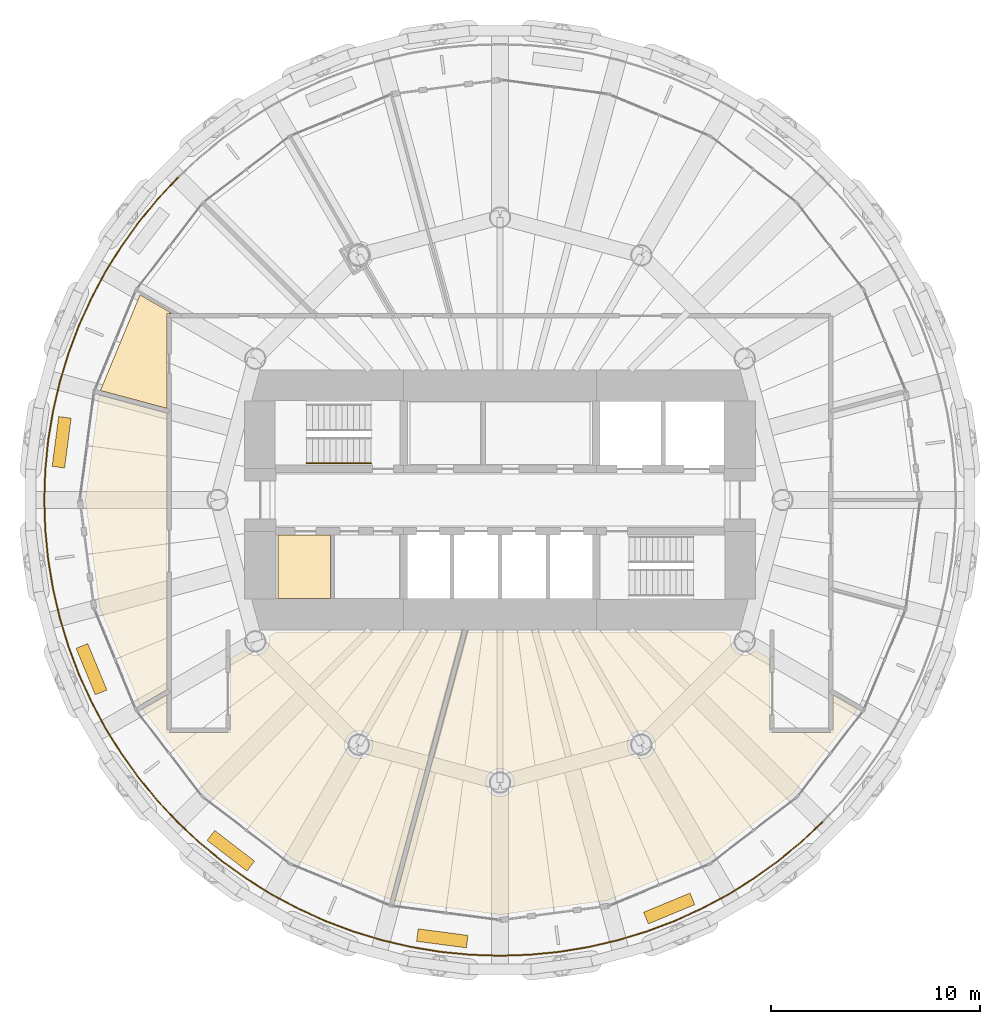
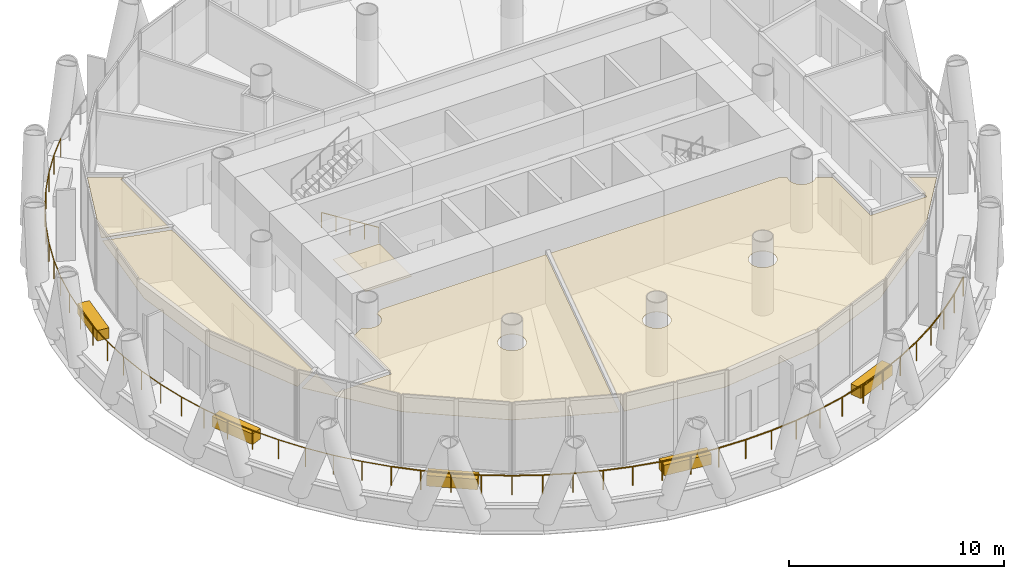
# One storey, part 13 of 15: 10 coverings, 3 railings.
"""IFC4 building model written with IfcOpenShell, lengths in metres."""

import ifcopenshell
import ifcopenshell.guid

model = None  # the IFC model being written
_history = None  # IfcOwnerHistory: only IFC2X3 demands one
_inside = {}  # id of a spatial element -> (the spatial element, [elements in it])
_under = {}  # id of a project, library or spatial element -> (it, [spatial elements below it])
_declared = {}  # id of a project -> (the project, [libraries it declares])
_typed = {}  # id of a type object -> (the type object, [elements of that type])
_made_of = {}  # id of a material, layer set ... -> (it, [elements and type objects made of it])


def new_model(schema):
    """Start an empty IFC model of exactly this schema.

    Asked for "IFC4X3", IfcOpenShell would pick the latest addendum, in which some entities
    have other attributes; the version numbers below select the first issue.
    IFC2X3 requires an IfcOwnerHistory on every rooted entity: one is made here for all.
    """
    global model, _history
    if schema == "IFC4X3":
        model = ifcopenshell.file(schema_version=(4, 3, 0, 0))
    else:
        model = ifcopenshell.file(schema=schema)
    _inside.clear()
    _under.clear()
    _declared.clear()
    _typed.clear()
    _made_of.clear()
    _history = None
    if model.schema == "IFC2X3":
        org = make("IfcOrganization", Name="unknown")
        user = make(
            "IfcPersonAndOrganization",
            ThePerson=make("IfcPerson", FamilyName="unknown"),
            TheOrganization=org,
        )
        app = make(
            "IfcApplication",
            ApplicationDeveloper=org,
            Version="unknown",
            ApplicationFullName="unknown",
            ApplicationIdentifier="unknown",
        )
        _history = make(
            "IfcOwnerHistory",
            OwningUser=user,
            OwningApplication=app,
            ChangeAction="ADDED",
            CreationDate=0,
        )
    return model


def make(cls, **values):
    """One entity of the class cls with the attributes given. An attribute that is None is left unset."""
    return model.create_entity(
        cls, **{name: value for name, value in values.items() if value is not None}
    )


def rooted(cls, **values):
    """An entity with a GlobalId (a new one), such as an element, a storey or a relation."""
    return make(cls, GlobalId=ifcopenshell.guid.new(), OwnerHistory=_history, **values)


def si_unit(unit_type, name, prefix=None):
    """IfcSIUnit, for example si_unit("LENGTHUNIT", "METRE", prefix="MILLI")."""
    return make("IfcSIUnit", UnitType=unit_type, Prefix=prefix, Name=name)


def assignment(units):
    """IfcUnitAssignment: the units of a project."""
    return None if units is None else make("IfcUnitAssignment", Units=units)


def point(xyz):
    """IfcCartesianPoint."""
    return None if xyz is None else make("IfcCartesianPoint", Coordinates=xyz)


def direction(xyz):
    """IfcDirection."""
    return None if xyz is None else make("IfcDirection", DirectionRatios=xyz)


def frame(location, z_axis=None, x_axis=None):
    """IfcAxis2Placement3D, a coordinate frame: its origin and axes. An axis left out is left unset."""
    return make(
        "IfcAxis2Placement3D",
        Location=point(location),
        Axis=direction(z_axis),
        RefDirection=direction(x_axis),
    )


def frame_2d(location, x_axis=None):
    """IfcAxis2Placement2D, a coordinate frame in the plane: its origin and x axis."""
    return make(
        "IfcAxis2Placement2D", Location=point(location), RefDirection=direction(x_axis)
    )


def origin():
    """The frame at (0, 0, 0) with its axes left unset."""
    return frame((0.0, 0.0, 0.0))


def origin_2d():
    """The frame at (0, 0) in the plane with its x axis left unset."""
    return frame_2d((0.0, 0.0))


def place(relative_to, where):
    """IfcLocalPlacement: puts the frame where relative to a parent placement (None: the world)."""
    return make(
        "IfcLocalPlacement", PlacementRelTo=relative_to, RelativePlacement=where
    )


def context(
    kind, dimensions, precision=None, world=None, true_north=None, identifier=None
):
    """IfcGeometricRepresentationContext, for example the 3D "Model" context."""
    return make(
        "IfcGeometricRepresentationContext",
        ContextIdentifier=identifier,
        ContextType=kind,
        CoordinateSpaceDimension=dimensions,
        Precision=precision,
        WorldCoordinateSystem=world,
        TrueNorth=true_north,
    )


def subcontext(parent, identifier, kind, view, scale=None):
    """IfcGeometricRepresentationSubContext, for example "Body" below "Model"."""
    return make(
        "IfcGeometricRepresentationSubContext",
        ContextIdentifier=identifier,
        ContextType=kind,
        ParentContext=parent,
        TargetScale=scale,
        TargetView=view,
    )


def project(units=None, contexts=None):
    """IfcProject with its units and contexts."""
    return rooted(
        "IfcProject",
        Name="project",
        RepresentationContexts=contexts,
        UnitsInContext=assignment(units),
    )


def spatial(cls, under=None, at=None, **own):
    """A site, building, storey or space (cls), placed at a placement, below another one or the project."""
    s = rooted(cls, ObjectPlacement=at, **own)
    if under is not None:
        _under.setdefault(under.id(), (under, []))[1].append(s)
    return s


def polyline(points):
    """IfcPolyline through the points."""
    return make("IfcPolyline", Points=[point(p) for p in points])


def profile(cls, at=None, kind="AREA", **sizes):
    """A parametric profile (cls). Its sizes go by their IFC names, for example OverallWidth=200.0."""
    return make(cls, ProfileType=kind, Position=at, **sizes)


def rectangle(**sizes):
    """IfcRectangleProfileDef."""
    return profile("IfcRectangleProfileDef", **sizes)


def circle(**sizes):
    """IfcCircleProfileDef."""
    return profile("IfcCircleProfileDef", **sizes)


def outline(outer, holes=None, kind="AREA"):
    """IfcArbitraryClosedProfileDef: a profile drawn as a closed curve; with holes, ...WithVoids."""
    if holes is None:
        return make("IfcArbitraryClosedProfileDef", ProfileType=kind, OuterCurve=outer)
    return make(
        "IfcArbitraryProfileDefWithVoids",
        ProfileType=kind,
        OuterCurve=outer,
        InnerCurves=holes,
    )


def extrude(swept, where, along, depth):
    """IfcExtrudedAreaSolid: the profile swept, set in the frame where, extruded along a direction by depth."""
    return make(
        "IfcExtrudedAreaSolid",
        SweptArea=swept,
        Position=where,
        ExtrudedDirection=direction(along),
        Depth=depth,
    )


def shape(context_of_items, identifier, shape_type, items):
    """IfcShapeRepresentation: the items that make up one representation, for example the "Body"."""
    return make(
        "IfcShapeRepresentation",
        ContextOfItems=context_of_items,
        RepresentationIdentifier=identifier,
        RepresentationType=shape_type,
        Items=items,
    )


def material(Name=None, Category=None):
    """IfcMaterial."""
    return make("IfcMaterial", Name=Name, Category=Category)


def layer(
    of_material, thickness, ventilated=None, Name=None, Category=None, Priority=None
):
    """IfcMaterialLayer: one layer of a wall or slab, of a material (None: an air gap)."""
    return make(
        "IfcMaterialLayer",
        Material=of_material,
        LayerThickness=thickness,
        IsVentilated=ventilated,
        Name=Name,
        Category=Category,
        Priority=Priority,
    )


def layer_set(layers, Name=None):
    """IfcMaterialLayerSet."""
    return make("IfcMaterialLayerSet", MaterialLayers=layers, LayerSetName=Name)


def made_of(thing, what):
    """Note that an element or type object is made of a material, layer set ...; save() writes the relation."""
    if what is not None:
        _made_of.setdefault(what.id(), (what, []))[1].append(thing)
    return thing


def type_object(cls, material=None, **own):
    """A type object (cls), such as IfcWallType, which elements share."""
    return made_of(rooted(cls, **own), material)


def element(
    cls,
    number,
    at=None,
    inside=None,
    cuts=None,
    type_object=None,
    material=None,
    context=None,
    identifier="Body",
    shape_type=None,
    held_by="IfcProductDefinitionShape",
    body=None,
    shapes=None,
    **own,
):
    """One element of the class cls, such as IfcWall. Its Tag is "e" and its number.

    at: its placement. inside: the storey or other place that contains it. cuts: it is an
    opening in that element (IfcRelVoidsElement). A single representation is given by context,
    identifier, shape_type and body (its items); several are given by shapes. held_by: the class
    of the entity that holds the representations. save() writes the other relations.
    """
    e = rooted(cls, Tag="e%d" % number, ObjectPlacement=at, **own)
    if body is not None:
        shapes = [shape(context, identifier, shape_type, body)]
    if shapes is not None:
        e.Representation = make(held_by, Representations=shapes)
    if inside is not None:
        _inside.setdefault(inside.id(), (inside, []))[1].append(e)
    if cuts is not None:
        rooted(
            "IfcRelVoidsElement", RelatingBuildingElement=cuts, RelatedOpeningElement=e
        )
    if type_object is not None:
        _typed.setdefault(type_object.id(), (type_object, []))[1].append(e)
    return made_of(e, material)


def aggregate(whole, parts):
    """IfcRelAggregates: a whole, such as a stair, and the parts it consists of."""
    return rooted("IfcRelAggregates", RelatingObject=whole, RelatedObjects=parts)


def save(model, path):
    """Write the relations noted so far, then the file.

    IfcRelAggregates (storeys below a building ...), IfcRelContainedInSpatialStructure (elements
    in a storey), IfcRelDefinesByType, IfcRelAssociatesMaterial and IfcRelDeclares: one each for
    every whole, place, type object, material and project.
    """
    for whole, parts in _under.values():
        aggregate(whole, parts)
    for where, things in _inside.values():
        rooted(
            "IfcRelContainedInSpatialStructure",
            RelatedElements=things,
            RelatingStructure=where,
        )
    for kind, things in _typed.values():
        rooted("IfcRelDefinesByType", RelatedObjects=things, RelatingType=kind)
    for what, things in _made_of.values():
        rooted("IfcRelAssociatesMaterial", RelatedObjects=things, RelatingMaterial=what)
    for by, libraries in _declared.values():
        rooted("IfcRelDeclares", RelatingContext=by, RelatedDefinitions=libraries)
    model.write(path)


model = new_model("IFC4")

# Units and contexts
model_context = context("Model", 3, precision=1e-05, world=origin(), true_north=direction((0.0, 1.0)))
body_context = subcontext(model_context, "Body", "Model", "MODEL_VIEW")
ifc_project = project(units=[si_unit("LENGTHUNIT", "METRE"), si_unit("AREAUNIT", "SQUARE_METRE"), si_unit("VOLUMEUNIT", "CUBIC_METRE"), si_unit("PLANEANGLEUNIT", "RADIAN"), si_unit("MASSUNIT", "GRAM", prefix="KILO")], contexts=[model_context])

# Site, building, storey
site_placement = place(None, origin())
site = spatial("IfcSite", under=ifc_project, at=site_placement, CompositionType="ELEMENT")
building_placement = place(site_placement, origin())
building = spatial("IfcBuilding", under=site, at=building_placement, Name="Qaws Media Tower", CompositionType="ELEMENT")
storey_placement = place(building_placement, frame((0.0, 0.0, 231.800048828125)))
storey = spatial("IfcBuildingStorey", under=building, at=storey_placement, Name="L53", CompositionType="ELEMENT", Elevation=231.800048828125)

# Railings
ifc_material_1 = material(Name="Stainless steel and glass guard", Category="steel")
railing_type_1 = type_object("IfcRailingType", Name="Balcony guard 1100", PredefinedType="GUARDRAIL", material=ifc_material_1)
railing_1_placement = place(storey_placement, frame((44.602783203125, 65.397216796875, 0.0)))
element("IfcRailing", 1, at=railing_1_placement, inside=storey, type_object=railing_type_1, Name="GR1 balcony guard L53-2", PredefinedType="GUARDRAIL", context=body_context, shape_type="SweptSolid", body=[
    extrude(circle(Radius=0.02392578125, at=origin_2d()), frame((0.0, 0.0, 1.076171875), z_axis=(-0.683599109941, -0.729857696328, 0.0), x_axis=(0.729857696328, -0.683599109941, 0.0)), (0.0, 0.0, 1.0), 1.425048828125),
    extrude(circle(Radius=0.02392578125, at=origin_2d()), frame((-0.97412109375, -1.0400390625, 1.076171875), z_axis=(-0.63448726708, -0.772933314015, 0.0), x_axis=(0.772933314015, -0.63448726708, 0.0)), (0.0, 0.0, 1.0), 1.4248046875),
    extrude(circle(Radius=0.02392578125, at=origin_2d()), frame((-1.878173828125, -2.141357421875, 1.076171875), z_axis=(-0.582420824871, -0.812887435477, 0.0), x_axis=(0.812887435477, -0.582420824871, 0.0)), (0.0, 0.0, 1.0), 1.4248046875),
    extrude(circle(Radius=0.02392578125, at=origin_2d()), frame((-2.7080078125, -3.299560546875, 1.076171875), z_axis=(-0.528010933541, -0.849237572214, 0.0), x_axis=(0.849237572214, -0.528010933541, 0.0)), (0.0, 0.0, 1.0), 1.425048828125),
    extrude(circle(Radius=0.02392578125, at=origin_2d()), frame((-3.46044921875, -4.509765625, 1.076171875), z_axis=(-0.471379569038, -0.881930440508, 0.0), x_axis=(0.881930440508, -0.471379569038, 0.0)), (0.0, 0.0, 1.0), 1.4248046875),
    extrude(circle(Radius=0.02392578125, at=origin_2d()), frame((-4.132080078125, -5.766357421875, 1.076171875), z_axis=(-0.412757030526, -0.910841168235, 0.0), x_axis=(0.910841168235, -0.412757030526, 0.0)), (0.0, 0.0, 1.0), 1.4248046875),
    extrude(circle(Radius=0.02392578125, at=origin_2d()), frame((-4.72021484375, -7.064208984375, 1.076171875), z_axis=(-0.352230899257, -0.935913133581, 0.0), x_axis=(0.935913133581, -0.352230899257, 0.0)), (0.0, 0.0, 1.0), 1.425048828125),
    extrude(circle(Radius=0.02392578125, at=origin_2d()), frame((-5.22216796875, -8.39794921875, 1.076171875), z_axis=(-0.290254672577, -0.956949437038, 0.0), x_axis=(0.956949437038, -0.290254672577, 0.0)), (0.0, 0.0, 1.0), 1.4248046875),
    extrude(circle(Radius=0.02392578125, at=origin_2d()), frame((-5.6357421875, -9.761474609375, 1.076171875), z_axis=(-0.227186285888, -0.973851318993, 0.0), x_axis=(0.973851318993, -0.227186285888, 0.0)), (0.0, 0.0, 1.0), 1.425048828125),
    extrude(circle(Radius=0.02392578125, at=origin_2d()), frame((-5.95947265625, -11.149169921875, 1.076171875), z_axis=(-0.162787106047, -0.986661217493, 0.0), x_axis=(0.986661217493, -0.162787106047, 0.0)), (0.0, 0.0, 1.0), 1.4248046875),
    extrude(circle(Radius=0.02392578125, at=origin_2d()), frame((-6.19140625, -12.554931640625, 1.076171875), z_axis=(-0.097993969509, -0.995187008526, 0.0), x_axis=(0.995187008526, -0.097993969509, 0.0)), (0.0, 0.0, 1.0), 1.425048828125),
    extrude(circle(Radius=0.02392578125, at=origin_2d()), frame((-6.3310546875, -13.97314453125, 1.076171875), z_axis=(-0.032727187644, -0.999464322119, 0.0), x_axis=(0.999464322119, -0.032727187644, 0.0)), (0.0, 0.0, 1.0), 1.4248046875),
    extrude(circle(Radius=0.02392578125, at=origin_2d()), frame((-6.377685546875, -15.397216796875, 1.076171875), z_axis=(0.032727187644, -0.999464322119, 0.0), x_axis=(0.999464322119, 0.032727187644, 0.0)), (0.0, 0.0, 1.0), 1.4248046875),
    extrude(circle(Radius=0.02392578125, at=origin_2d()), frame((-6.3310546875, -16.8212890625, 1.076171875), z_axis=(0.097993969509, -0.995187008526, 0.0), x_axis=(0.995187008526, 0.097993969509, 0.0)), (0.0, 0.0, 1.0), 1.425048828125),
    extrude(circle(Radius=0.02392578125, at=origin_2d()), frame((-6.19140625, -18.239501953125, 1.076171875), z_axis=(0.162787106047, -0.986661217493, 0.0), x_axis=(0.986661217493, 0.162787106047, 0.0)), (0.0, 0.0, 1.0), 1.4248046875),
    extrude(circle(Radius=0.02392578125, at=origin_2d()), frame((-5.95947265625, -19.645263671875, 1.076171875), z_axis=(0.227186285888, -0.973851318993, 0.0), x_axis=(0.973851318993, 0.227186285888, 0.0)), (0.0, 0.0, 1.0), 1.425048828125),
    extrude(circle(Radius=0.02392578125, at=origin_2d()), frame((-5.6357421875, -21.032958984375, 1.076171875), z_axis=(0.290254672577, -0.956949437038, 0.0), x_axis=(0.956949437038, 0.290254672577, 0.0)), (0.0, 0.0, 1.0), 1.4248046875),
    extrude(circle(Radius=0.02392578125, at=origin_2d()), frame((-5.22216796875, -22.396484375, 1.076171875), z_axis=(0.352230899257, -0.935913133581, 0.0), x_axis=(0.935913133581, 0.352230899257, 0.0)), (0.0, 0.0, 1.0), 1.425048828125),
    extrude(circle(Radius=0.02392578125, at=origin_2d()), frame((-4.72021484375, -23.730224609375, 1.076171875), z_axis=(0.412757030526, -0.910841168235, 0.0), x_axis=(0.910841168235, 0.412757030526, 0.0)), (0.0, 0.0, 1.0), 1.4248046875),
    extrude(circle(Radius=0.02392578125, at=origin_2d()), frame((-4.132080078125, -25.028076171875, 1.076171875), z_axis=(0.471379569038, -0.881930440508, 0.0), x_axis=(0.881930440508, 0.471379569038, 0.0)), (0.0, 0.0, 1.0), 1.4248046875),
    extrude(circle(Radius=0.02392578125, at=origin_2d()), frame((-3.46044921875, -26.28466796875, 1.076171875), z_axis=(0.528010933541, -0.849237572214, 0.0), x_axis=(0.849237572214, 0.528010933541, 0.0)), (0.0, 0.0, 1.0), 1.425048828125),
    extrude(circle(Radius=0.02392578125, at=origin_2d()), frame((-2.7080078125, -27.494873046875, 1.076171875), z_axis=(0.582420824871, -0.812887435477, 0.0), x_axis=(0.812887435477, 0.582420824871, 0.0)), (0.0, 0.0, 1.0), 1.4248046875),
    extrude(circle(Radius=0.02392578125, at=origin_2d()), frame((-1.878173828125, -28.653076171875, 1.076171875), z_axis=(0.63448726708, -0.772933314015, 0.0), x_axis=(0.772933314015, 0.63448726708, 0.0)), (0.0, 0.0, 1.0), 1.4248046875),
    extrude(circle(Radius=0.02392578125, at=origin_2d()), frame((-0.97412109375, -29.75439453125, 1.076171875), z_axis=(0.683599109941, -0.729857696328, 0.0), x_axis=(0.729857696328, 0.683599109941, 0.0)), (0.0, 0.0, 1.0), 1.425048828125),
    extrude(circle(Radius=0.02099609375, at=origin_2d()), origin(), (0.0, 0.0, 1.0), 1.052001953125),
    extrude(circle(Radius=0.02099609375, at=origin_2d()), frame((-0.97412109375, -1.0400390625, 0.0)), (0.0, 0.0, 1.0), 1.052001953125),
    extrude(circle(Radius=0.02099609375, at=origin_2d()), frame((-1.878173828125, -2.141357421875, 0.0)), (0.0, 0.0, 1.0), 1.052001953125),
    extrude(circle(Radius=0.02099609375, at=origin_2d()), frame((-2.7080078125, -3.299560546875, 0.0)), (0.0, 0.0, 1.0), 1.052001953125),
    extrude(circle(Radius=0.02099609375, at=origin_2d()), frame((-3.46044921875, -4.509765625, 0.0)), (0.0, 0.0, 1.0), 1.052001953125),
    extrude(circle(Radius=0.02099609375, at=origin_2d()), frame((-4.132080078125, -5.766357421875, 0.0)), (0.0, 0.0, 1.0), 1.052001953125),
    extrude(circle(Radius=0.02099609375, at=origin_2d()), frame((-4.72021484375, -7.064208984375, 0.0)), (0.0, 0.0, 1.0), 1.052001953125),
    extrude(circle(Radius=0.02099609375, at=origin_2d()), frame((-5.22216796875, -8.39794921875, 0.0)), (0.0, 0.0, 1.0), 1.052001953125),
    extrude(circle(Radius=0.02099609375, at=origin_2d()), frame((-5.6357421875, -9.761474609375, 0.0)), (0.0, 0.0, 1.0), 1.052001953125),
    extrude(circle(Radius=0.02099609375, at=origin_2d()), frame((-5.95947265625, -11.149169921875, 0.0)), (0.0, 0.0, 1.0), 1.052001953125),
    extrude(circle(Radius=0.02099609375, at=origin_2d()), frame((-6.19140625, -12.554931640625, 0.0)), (0.0, 0.0, 1.0), 1.052001953125),
    extrude(circle(Radius=0.02099609375, at=origin_2d()), frame((-6.3310546875, -13.97314453125, 0.0)), (0.0, 0.0, 1.0), 1.052001953125),
    extrude(circle(Radius=0.02099609375, at=origin_2d()), frame((-6.377685546875, -15.397216796875, 0.0)), (0.0, 0.0, 1.0), 1.052001953125),
    extrude(circle(Radius=0.02099609375, at=origin_2d()), frame((-6.3310546875, -16.8212890625, 0.0)), (0.0, 0.0, 1.0), 1.052001953125),
    extrude(circle(Radius=0.02099609375, at=origin_2d()), frame((-6.19140625, -18.239501953125, 0.0)), (0.0, 0.0, 1.0), 1.052001953125),
    extrude(circle(Radius=0.02099609375, at=origin_2d()), frame((-5.95947265625, -19.645263671875, 0.0)), (0.0, 0.0, 1.0), 1.052001953125),
    extrude(circle(Radius=0.02099609375, at=origin_2d()), frame((-5.6357421875, -21.032958984375, 0.0)), (0.0, 0.0, 1.0), 1.052001953125),
    extrude(circle(Radius=0.02099609375, at=origin_2d()), frame((-5.22216796875, -22.396484375, 0.0)), (0.0, 0.0, 1.0), 1.052001953125),
    extrude(circle(Radius=0.02099609375, at=origin_2d()), frame((-4.72021484375, -23.730224609375, 0.0)), (0.0, 0.0, 1.0), 1.052001953125),
    extrude(circle(Radius=0.02099609375, at=origin_2d()), frame((-4.132080078125, -25.028076171875, 0.0)), (0.0, 0.0, 1.0), 1.052001953125),
    extrude(circle(Radius=0.02099609375, at=origin_2d()), frame((-3.46044921875, -26.28466796875, 0.0)), (0.0, 0.0, 1.0), 1.052001953125),
    extrude(circle(Radius=0.02099609375, at=origin_2d()), frame((-2.7080078125, -27.494873046875, 0.0)), (0.0, 0.0, 1.0), 1.052001953125),
    extrude(circle(Radius=0.02099609375, at=origin_2d()), frame((-1.878173828125, -28.653076171875, 0.0)), (0.0, 0.0, 1.0), 1.052001953125),
    extrude(circle(Radius=0.02099609375, at=origin_2d()), frame((-0.97412109375, -29.75439453125, 0.0)), (0.0, 0.0, 1.0), 1.052001953125),
    extrude(circle(Radius=0.02099609375, at=origin_2d()), frame((0.0, -30.79443359375, 0.0)), (0.0, 0.0, 1.0), 1.052001953125),
])
railing_2_placement = place(storey_placement, frame((44.602783203125, 34.602783203125, 0.0)))
element("IfcRailing", 2, at=railing_2_placement, inside=storey, type_object=railing_type_1, Name="GR1 balcony guard L53-3", PredefinedType="GUARDRAIL", context=body_context, shape_type="SweptSolid", body=[
    extrude(circle(Radius=0.02392578125, at=origin_2d()), frame((0.0, 0.0, 1.076171875), z_axis=(0.729857696328, -0.683599109941, 0.0), x_axis=(0.683599109941, 0.729857696328, 0.0)), (0.0, 0.0, 1.0), 1.425048828125),
    extrude(circle(Radius=0.02392578125, at=origin_2d()), frame((1.0400390625, -0.97412109375, 1.076171875), z_axis=(0.772933314015, -0.63448726708, 0.0), x_axis=(0.63448726708, 0.772933314015, 0.0)), (0.0, 0.0, 1.0), 1.4248046875),
    extrude(circle(Radius=0.02392578125, at=origin_2d()), frame((2.141357421875, -1.878173828125, 1.076171875), z_axis=(0.812887435477, -0.582420824871, 0.0), x_axis=(0.582420824871, 0.812887435477, 0.0)), (0.0, 0.0, 1.0), 1.4248046875),
    extrude(circle(Radius=0.02392578125, at=origin_2d()), frame((3.299560546875, -2.7080078125, 1.076171875), z_axis=(0.849237572214, -0.528010933541, 0.0), x_axis=(0.528010933541, 0.849237572214, 0.0)), (0.0, 0.0, 1.0), 1.425048828125),
    extrude(circle(Radius=0.02392578125, at=origin_2d()), frame((4.509765625, -3.46044921875, 1.076171875), z_axis=(0.881930440508, -0.471379569038, 0.0), x_axis=(0.471379569038, 0.881930440508, 0.0)), (0.0, 0.0, 1.0), 1.4248046875),
    extrude(circle(Radius=0.02392578125, at=origin_2d()), frame((5.766357421875, -4.132080078125, 1.076171875), z_axis=(0.910841168235, -0.412757030526, 0.0), x_axis=(0.412757030526, 0.910841168235, 0.0)), (0.0, 0.0, 1.0), 1.4248046875),
    extrude(circle(Radius=0.02392578125, at=origin_2d()), frame((7.064208984375, -4.72021484375, 1.076171875), z_axis=(0.935913133581, -0.352230899257, 0.0), x_axis=(0.352230899257, 0.935913133581, 0.0)), (0.0, 0.0, 1.0), 1.425048828125),
    extrude(circle(Radius=0.02392578125, at=origin_2d()), frame((8.39794921875, -5.22216796875, 1.076171875), z_axis=(0.956949437038, -0.290254672577, 0.0), x_axis=(0.290254672577, 0.956949437038, 0.0)), (0.0, 0.0, 1.0), 1.4248046875),
    extrude(circle(Radius=0.02392578125, at=origin_2d()), frame((9.761474609375, -5.6357421875, 1.076171875), z_axis=(0.973851318993, -0.227186285888, 0.0), x_axis=(0.227186285888, 0.973851318993, 0.0)), (0.0, 0.0, 1.0), 1.425048828125),
    extrude(circle(Radius=0.02392578125, at=origin_2d()), frame((11.149169921875, -5.95947265625, 1.076171875), z_axis=(0.986661217493, -0.162787106047, 0.0), x_axis=(0.162787106047, 0.986661217493, 0.0)), (0.0, 0.0, 1.0), 1.4248046875),
    extrude(circle(Radius=0.02392578125, at=origin_2d()), frame((12.554931640625, -6.19140625, 1.076171875), z_axis=(0.995187008526, -0.097993969509, 0.0), x_axis=(0.097993969509, 0.995187008526, 0.0)), (0.0, 0.0, 1.0), 1.425048828125),
    extrude(circle(Radius=0.02392578125, at=origin_2d()), frame((13.97314453125, -6.3310546875, 1.076171875), z_axis=(0.999464322119, -0.032727187644, 0.0), x_axis=(0.032727187644, 0.999464322119, 0.0)), (0.0, 0.0, 1.0), 1.4248046875),
    extrude(circle(Radius=0.02392578125, at=origin_2d()), frame((15.397216796875, -6.377685546875, 1.076171875), z_axis=(0.999464322119, 0.032727187644, 0.0), x_axis=(-0.032727187644, 0.999464322119, 0.0)), (0.0, 0.0, 1.0), 1.4248046875),
    extrude(circle(Radius=0.02392578125, at=origin_2d()), frame((16.8212890625, -6.3310546875, 1.076171875), z_axis=(0.995187008526, 0.097993969509, 0.0), x_axis=(-0.097993969509, 0.995187008526, 0.0)), (0.0, 0.0, 1.0), 1.425048828125),
    extrude(circle(Radius=0.02392578125, at=origin_2d()), frame((18.239501953125, -6.19140625, 1.076171875), z_axis=(0.986661217493, 0.162787106047, 0.0), x_axis=(-0.162787106047, 0.986661217493, 0.0)), (0.0, 0.0, 1.0), 1.4248046875),
    extrude(circle(Radius=0.02392578125, at=origin_2d()), frame((19.645263671875, -5.95947265625, 1.076171875), z_axis=(0.973851318993, 0.227186285888, 0.0), x_axis=(-0.227186285888, 0.973851318993, 0.0)), (0.0, 0.0, 1.0), 1.425048828125),
    extrude(circle(Radius=0.02392578125, at=origin_2d()), frame((21.032958984375, -5.6357421875, 1.076171875), z_axis=(0.956949437038, 0.290254672577, 0.0), x_axis=(-0.290254672577, 0.956949437038, 0.0)), (0.0, 0.0, 1.0), 1.4248046875),
    extrude(circle(Radius=0.02392578125, at=origin_2d()), frame((22.396484375, -5.22216796875, 1.076171875), z_axis=(0.935913133581, 0.352230899257, 0.0), x_axis=(-0.352230899257, 0.935913133581, 0.0)), (0.0, 0.0, 1.0), 1.425048828125),
    extrude(circle(Radius=0.02392578125, at=origin_2d()), frame((23.730224609375, -4.72021484375, 1.076171875), z_axis=(0.910841168235, 0.412757030526, 0.0), x_axis=(-0.412757030526, 0.910841168235, 0.0)), (0.0, 0.0, 1.0), 1.4248046875),
    extrude(circle(Radius=0.02392578125, at=origin_2d()), frame((25.028076171875, -4.132080078125, 1.076171875), z_axis=(0.881930440508, 0.471379569038, 0.0), x_axis=(-0.471379569038, 0.881930440508, 0.0)), (0.0, 0.0, 1.0), 1.4248046875),
    extrude(circle(Radius=0.02392578125, at=origin_2d()), frame((26.28466796875, -3.46044921875, 1.076171875), z_axis=(0.849237572214, 0.528010933541, 0.0), x_axis=(-0.528010933541, 0.849237572214, 0.0)), (0.0, 0.0, 1.0), 1.425048828125),
    extrude(circle(Radius=0.02392578125, at=origin_2d()), frame((27.494873046875, -2.7080078125, 1.076171875), z_axis=(0.812887435477, 0.582420824871, 0.0), x_axis=(-0.582420824871, 0.812887435477, 0.0)), (0.0, 0.0, 1.0), 1.4248046875),
    extrude(circle(Radius=0.02392578125, at=origin_2d()), frame((28.653076171875, -1.878173828125, 1.076171875), z_axis=(0.772933314015, 0.63448726708, 0.0), x_axis=(-0.63448726708, 0.772933314015, 0.0)), (0.0, 0.0, 1.0), 1.4248046875),
    extrude(circle(Radius=0.02392578125, at=origin_2d()), frame((29.75439453125, -0.97412109375, 1.076171875), z_axis=(0.729857696328, 0.683599109941, 0.0), x_axis=(-0.683599109941, 0.729857696328, 0.0)), (0.0, 0.0, 1.0), 1.425048828125),
    extrude(circle(Radius=0.02099609375, at=origin_2d()), origin(), (0.0, 0.0, 1.0), 1.052001953125),
    extrude(circle(Radius=0.02099609375, at=origin_2d()), frame((1.0400390625, -0.97412109375, 0.0)), (0.0, 0.0, 1.0), 1.052001953125),
    extrude(circle(Radius=0.02099609375, at=origin_2d()), frame((2.141357421875, -1.878173828125, 0.0)), (0.0, 0.0, 1.0), 1.052001953125),
    extrude(circle(Radius=0.02099609375, at=origin_2d()), frame((3.299560546875, -2.7080078125, 0.0)), (0.0, 0.0, 1.0), 1.052001953125),
    extrude(circle(Radius=0.02099609375, at=origin_2d()), frame((4.509765625, -3.46044921875, 0.0)), (0.0, 0.0, 1.0), 1.052001953125),
    extrude(circle(Radius=0.02099609375, at=origin_2d()), frame((5.766357421875, -4.132080078125, 0.0)), (0.0, 0.0, 1.0), 1.052001953125),
    extrude(circle(Radius=0.02099609375, at=origin_2d()), frame((7.064208984375, -4.72021484375, 0.0)), (0.0, 0.0, 1.0), 1.052001953125),
    extrude(circle(Radius=0.02099609375, at=origin_2d()), frame((8.39794921875, -5.22216796875, 0.0)), (0.0, 0.0, 1.0), 1.052001953125),
    extrude(circle(Radius=0.02099609375, at=origin_2d()), frame((9.761474609375, -5.6357421875, 0.0)), (0.0, 0.0, 1.0), 1.052001953125),
    extrude(circle(Radius=0.02099609375, at=origin_2d()), frame((11.149169921875, -5.95947265625, 0.0)), (0.0, 0.0, 1.0), 1.052001953125),
    extrude(circle(Radius=0.02099609375, at=origin_2d()), frame((12.554931640625, -6.19140625, 0.0)), (0.0, 0.0, 1.0), 1.052001953125),
    extrude(circle(Radius=0.02099609375, at=origin_2d()), frame((13.97314453125, -6.3310546875, 0.0)), (0.0, 0.0, 1.0), 1.052001953125),
    extrude(circle(Radius=0.02099609375, at=origin_2d()), frame((15.397216796875, -6.377685546875, 0.0)), (0.0, 0.0, 1.0), 1.052001953125),
    extrude(circle(Radius=0.02099609375, at=origin_2d()), frame((16.8212890625, -6.3310546875, 0.0)), (0.0, 0.0, 1.0), 1.052001953125),
    extrude(circle(Radius=0.02099609375, at=origin_2d()), frame((18.239501953125, -6.19140625, 0.0)), (0.0, 0.0, 1.0), 1.052001953125),
    extrude(circle(Radius=0.02099609375, at=origin_2d()), frame((19.645263671875, -5.95947265625, 0.0)), (0.0, 0.0, 1.0), 1.052001953125),
    extrude(circle(Radius=0.02099609375, at=origin_2d()), frame((21.032958984375, -5.6357421875, 0.0)), (0.0, 0.0, 1.0), 1.052001953125),
    extrude(circle(Radius=0.02099609375, at=origin_2d()), frame((22.396484375, -5.22216796875, 0.0)), (0.0, 0.0, 1.0), 1.052001953125),
    extrude(circle(Radius=0.02099609375, at=origin_2d()), frame((23.730224609375, -4.72021484375, 0.0)), (0.0, 0.0, 1.0), 1.052001953125),
    extrude(circle(Radius=0.02099609375, at=origin_2d()), frame((25.028076171875, -4.132080078125, 0.0)), (0.0, 0.0, 1.0), 1.052001953125),
    extrude(circle(Radius=0.02099609375, at=origin_2d()), frame((26.28466796875, -3.46044921875, 0.0)), (0.0, 0.0, 1.0), 1.052001953125),
    extrude(circle(Radius=0.02099609375, at=origin_2d()), frame((27.494873046875, -2.7080078125, 0.0)), (0.0, 0.0, 1.0), 1.052001953125),
    extrude(circle(Radius=0.02099609375, at=origin_2d()), frame((28.653076171875, -1.878173828125, 0.0)), (0.0, 0.0, 1.0), 1.052001953125),
    extrude(circle(Radius=0.02099609375, at=origin_2d()), frame((29.75439453125, -0.97412109375, 0.0)), (0.0, 0.0, 1.0), 1.052001953125),
    extrude(circle(Radius=0.02099609375, at=origin_2d()), frame((30.79443359375, 0.0, 0.0)), (0.0, 0.0, 1.0), 1.052001953125),
])

# Coverings
ifc_material_2 = material(Name="600 x 600 mineral fibre tiles in exposed grid, suspended", Category="mineral fibre")
ifc_layer_1 = layer(ifc_material_2, 0.02001953125)
ifc_layer_set_1 = layer_set([ifc_layer_1], Name="Mineral fibre tile ceiling 20")
covering_type_1 = type_object("IfcCoveringType", Name="Mineral fibre tile ceiling 20", PredefinedType="CEILING", material=ifc_layer_set_1)
covering_1_placement = place(storey_placement, frame((0.0, 0.0, 2.849853515625)))
element("IfcCovering", 3, at=covering_1_placement, inside=storey, type_object=covering_type_1, Name="CL1 ceiling L53-07 Office", PredefinedType="CEILING", context=body_context, shape_type="SweptSolid", body=[
    extrude(outline(polyline([(42.80029296875, 59.80029296875), (44.338134765625, 58.91259765625), (44.08740234375, 58.91259765625), (44.08740234375, 54.380126953125), (40.908203125, 55.232177734375), (42.80029296875, 59.80029296875)])), origin(), (0.0, 0.0, 1.0), 0.02001953125),
])
covering_2_placement = place(storey_placement, frame((0.0, 0.0, 2.849853515625)))
element("IfcCovering", 4, at=covering_2_placement, inside=storey, type_object=covering_type_1, Name="CL1 ceiling L53-08 Tenant office", PredefinedType="CEILING", context=body_context, shape_type="SweptSolid", body=[
    extrude(outline(polyline([(40.86474609375, 44.872802734375), (40.189697265625, 50.0), (40.85009765625, 55.014892578125), (44.08740234375, 54.147216796875), (44.08740234375, 40.94287109375), (42.80029296875, 40.19970703125), (40.86474609375, 44.872802734375)])), origin(), (0.0, 0.0, 1.0), 0.02001953125),
])
covering_3_placement = place(storey_placement, frame((0.0, 0.0, 2.849853515625)))
element("IfcCovering", 5, at=covering_3_placement, inside=storey, type_object=covering_type_1, Name="CL1 ceiling L53-09 Tenant office", PredefinedType="CEILING", context=body_context, shape_type="SweptSolid", body=[
    extrude(outline(polyline([(50.094970703125, 32.84375), (45.991943359375, 35.991943359375), (42.912841796875, 40.0048828125), (44.08740234375, 40.68310546875), (44.08740234375, 38.887451171875), (47.112548828125, 38.887451171875), (47.112548828125, 42.429443359375), (47.795654296875, 42.823974609375), (47.836181640625, 42.777587890625), (47.902099609375, 42.719970703125), (47.974609375, 42.67138671875), (48.052978515625, 42.6328125), (48.1357421875, 42.604736328125), (48.221435546875, 42.587646484375), (48.30859375, 42.58203125), (48.395751953125, 42.587646484375), (48.4814453125, 42.604736328125), (48.564208984375, 42.6328125), (48.642578125, 42.67138671875), (48.71533203125, 42.719970703125), (48.781005859375, 42.777587890625), (48.838623046875, 42.84326171875), (48.88720703125, 42.916015625), (48.92578125, 42.994384765625), (48.953857421875, 43.0771484375), (48.970947265625, 43.162841796875), (48.976806640625, 43.25), (48.970947265625, 43.337158203125), (48.953857421875, 43.4228515625), (48.93408203125, 43.481201171875), (49.29150390625, 43.6875), (58.192138671875, 43.6875), (54.767822265625, 30.908203125), (50.094970703125, 32.84375)]), holes=[polyline([(53.895263671875, 38.1357421875), (53.912353515625, 38.221435546875), (53.91796875, 38.30859375), (53.912353515625, 38.395751953125), (53.895263671875, 38.4814453125), (53.8671875, 38.564208984375), (53.82861328125, 38.642578125), (53.780029296875, 38.71533203125), (53.722412109375, 38.781005859375), (53.65673828125, 38.838623046875), (53.583984375, 38.88720703125), (53.505615234375, 38.92578125), (53.4228515625, 38.953857421875), (53.337158203125, 38.970947265625), (53.25, 38.976806640625), (53.162841796875, 38.970947265625), (53.0771484375, 38.953857421875), (52.994384765625, 38.92578125), (52.916015625, 38.88720703125), (52.84326171875, 38.838623046875), (52.777587890625, 38.781005859375), (52.719970703125, 38.71533203125), (52.67138671875, 38.642578125), (52.6328125, 38.564208984375), (52.604736328125, 38.4814453125), (52.587646484375, 38.395751953125), (52.58203125, 38.30859375), (52.587646484375, 38.221435546875), (52.604736328125, 38.1357421875), (52.6328125, 38.052978515625), (52.67138671875, 37.974609375), (52.719970703125, 37.902099609375), (52.777587890625, 37.836181640625), (52.84326171875, 37.77880859375), (52.916015625, 37.730224609375), (52.994384765625, 37.69140625), (53.0771484375, 37.663330078125), (53.162841796875, 37.646484375), (53.25, 37.640625), (53.337158203125, 37.646484375), (53.4228515625, 37.663330078125), (53.505615234375, 37.69140625), (53.583984375, 37.730224609375), (53.65673828125, 37.77880859375), (53.722412109375, 37.836181640625), (53.780029296875, 37.902099609375), (53.82861328125, 37.974609375), (53.8671875, 38.052978515625), (53.895263671875, 38.1357421875)])]), origin(), (0.0, 0.0, 1.0), 0.02001953125),
])
covering_4_placement = place(storey_placement, frame((0.0, 0.0, 2.849853515625)))
element("IfcCovering", 6, at=covering_4_placement, inside=storey, type_object=covering_type_1, Name="CL1 ceiling L53-10 Tenant office", PredefinedType="CEILING", context=body_context, shape_type="SweptSolid", body=[
    extrude(outline(polyline([(72.887451171875, 38.887451171875), (75.91259765625, 38.887451171875), (75.91259765625, 40.68310546875), (77.087158203125, 40.0048828125), (74.008056640625, 35.991943359375), (69.905029296875, 32.84375), (65.127197265625, 30.86474609375), (60.0, 30.189697265625), (54.985107421875, 30.85009765625), (58.425048828125, 43.6875), (70.70849609375, 43.6875), (71.06591796875, 43.481201171875), (71.046142578125, 43.4228515625), (71.029052734375, 43.337158203125), (71.023193359375, 43.25), (71.029052734375, 43.162841796875), (71.046142578125, 43.0771484375), (71.07421875, 42.994384765625), (71.11279296875, 42.916015625), (71.161376953125, 42.84326171875), (71.218994140625, 42.777587890625), (71.28466796875, 42.719970703125), (71.357421875, 42.67138671875), (71.435791015625, 42.6328125), (71.5185546875, 42.604736328125), (71.604248046875, 42.587646484375), (71.69140625, 42.58203125), (71.778564453125, 42.587646484375), (71.8642578125, 42.604736328125), (71.947021484375, 42.6328125), (72.025390625, 42.67138671875), (72.097900390625, 42.719970703125), (72.163818359375, 42.777587890625), (72.204345703125, 42.823974609375), (72.887451171875, 42.429443359375), (72.887451171875, 38.887451171875)]), holes=[polyline([(60.645263671875, 36.3271484375), (60.662353515625, 36.412841796875), (60.66796875, 36.5), (60.662353515625, 36.587158203125), (60.645263671875, 36.6728515625), (60.6171875, 36.755615234375), (60.57861328125, 36.833984375), (60.530029296875, 36.90673828125), (60.472412109375, 36.972412109375), (60.40673828125, 37.030029296875), (60.333984375, 37.07861328125), (60.255615234375, 37.1171875), (60.1728515625, 37.145263671875), (60.087158203125, 37.162353515625), (60.0, 37.16796875), (59.912841796875, 37.162353515625), (59.8271484375, 37.145263671875), (59.744384765625, 37.1171875), (59.666015625, 37.07861328125), (59.59326171875, 37.030029296875), (59.527587890625, 36.972412109375), (59.469970703125, 36.90673828125), (59.42138671875, 36.833984375), (59.3828125, 36.755615234375), (59.354736328125, 36.6728515625), (59.337646484375, 36.587158203125), (59.33203125, 36.5), (59.337646484375, 36.412841796875), (59.354736328125, 36.3271484375), (59.3828125, 36.244384765625), (59.42138671875, 36.166015625), (59.469970703125, 36.09326171875), (59.527587890625, 36.027587890625), (59.59326171875, 35.969970703125), (59.666015625, 35.92138671875), (59.744384765625, 35.8828125), (59.8271484375, 35.854736328125), (59.912841796875, 35.837646484375), (60.0, 35.83203125), (60.087158203125, 35.837646484375), (60.1728515625, 35.854736328125), (60.255615234375, 35.8828125), (60.333984375, 35.92138671875), (60.40673828125, 35.969970703125), (60.472412109375, 36.027587890625), (60.530029296875, 36.09326171875), (60.57861328125, 36.166015625), (60.6171875, 36.244384765625), (60.645263671875, 36.3271484375)]), polyline([(67.3671875, 38.052978515625), (67.395263671875, 38.1357421875), (67.412353515625, 38.221435546875), (67.41796875, 38.30859375), (67.412353515625, 38.395751953125), (67.395263671875, 38.4814453125), (67.3671875, 38.564208984375), (67.32861328125, 38.642578125), (67.280029296875, 38.71533203125), (67.222412109375, 38.781005859375), (67.15673828125, 38.838623046875), (67.083984375, 38.88720703125), (67.005615234375, 38.92578125), (66.9228515625, 38.953857421875), (66.837158203125, 38.970947265625), (66.75, 38.976806640625), (66.662841796875, 38.970947265625), (66.5771484375, 38.953857421875), (66.494384765625, 38.92578125), (66.416015625, 38.88720703125), (66.34326171875, 38.838623046875), (66.277587890625, 38.781005859375), (66.219970703125, 38.71533203125), (66.17138671875, 38.642578125), (66.1328125, 38.564208984375), (66.104736328125, 38.4814453125), (66.087646484375, 38.395751953125), (66.08203125, 38.30859375), (66.087646484375, 38.221435546875), (66.104736328125, 38.1357421875), (66.1328125, 38.052978515625), (66.17138671875, 37.974609375), (66.219970703125, 37.902099609375), (66.277587890625, 37.836181640625), (66.34326171875, 37.77880859375), (66.416015625, 37.730224609375), (66.494384765625, 37.69140625), (66.5771484375, 37.663330078125), (66.662841796875, 37.646484375), (66.75, 37.640625), (66.837158203125, 37.646484375), (66.9228515625, 37.663330078125), (67.005615234375, 37.69140625), (67.083984375, 37.730224609375), (67.15673828125, 37.77880859375), (67.222412109375, 37.836181640625), (67.280029296875, 37.902099609375), (67.32861328125, 37.974609375), (67.3671875, 38.052978515625)])]), origin(), (0.0, 0.0, 1.0), 0.02001953125),
])
ifc_material_3 = material(Name="Precast concrete planter with trailing planting", Category="concrete")
ifc_layer_2 = layer(ifc_material_3, 0.60009765625)
ifc_layer_set_2 = layer_set([ifc_layer_2], Name="Planter 2400x600")
covering_type_2 = type_object("IfcCoveringType", Name="Planter 2400x600", PredefinedType="USERDEFINED", material=ifc_layer_set_2)
for number, where, z_axis, x_axis, name in (
    (7, (39.0556640625, 52.75732421875, 0.0), (0.0, 0.0, 1.0), (-0.13052619222, -0.991444861374, 0.0), "PL1 balcony planter L53-06"),
    (8, (40.483154296875, 41.915771484375, 0.0), (0.0, 0.0, 1.0), (0.382683432365, -0.923879532511, 0.0), "PL1 balcony planter L53-07"),
    (9, (47.139892578125, 33.240478515625, 0.0), (0.0, 0.0, 1.0), (0.793353340291, -0.608761429009, 0.0), "PL1 balcony planter L53-08"),
    (10, (57.24267578125, 29.0556640625, 0.0), (0.0, 0.0, 1.0), (0.991444861374, -0.13052619222, 0.0), "PL1 balcony planter L53-09"),
    (11, (68.084228515625, 30.483154296875, 0.0), (0.0, 0.0, 1.0), (0.923879532511, 0.382683432365, 0.0), "PL1 balcony planter L53-10"),
):
    element("IfcCovering", number, at=place(storey_placement, frame(where, z_axis=z_axis, x_axis=x_axis)), inside=storey, type_object=covering_type_2, Name=name, ObjectType="PLANTER", PredefinedType="USERDEFINED", context=body_context, shape_type="SweptSolid", body=[
        extrude(rectangle(XDim=2.39990234375, YDim=0.60009765625, at=origin_2d()), origin(), (0.0, 0.0, 1.0), 0.60009765625),
    ])
ifc_material_4 = material(Name="Two layers 12.5 moisture-resistant plasterboard on suspended metal furring", Category="gypsum")
ifc_layer_3 = layer(ifc_material_4, 0.02490234375)
ifc_layer_set_3 = layer_set([ifc_layer_3], Name="Plasterboard ceiling 25")
covering_type_3 = type_object("IfcCoveringType", Name="Plasterboard ceiling 25", PredefinedType="CEILING", material=ifc_layer_set_3)
covering_5_placement = place(storey_placement, frame((0.0, 0.0, 2.849853515625)))
element("IfcCovering", 12, at=covering_5_placement, inside=storey, type_object=covering_type_3, Name="CL2 ceiling L53-C04 Accessible WC", PredefinedType="CEILING", context=body_context, shape_type="SweptSolid", body=[
    extrude(outline(polyline([(49.39990234375, 45.300048828125), (49.39990234375, 48.324951171875), (51.89990234375, 48.324951171875), (51.89990234375, 45.300048828125), (49.39990234375, 45.300048828125)])), origin(), (0.0, 0.0, 1.0), 0.025146484375),
])

# Railing
ifc_material_5 = material(Name="Steel tube handrail", Category="steel")
railing_type_2 = type_object("IfcRailingType", Name="Stair handrail 900", PredefinedType="HANDRAIL", material=ifc_material_5)
railing_3_placement = place(storey_placement, frame((53.840087890625, 51.75, 0.175048828125)))
element("IfcRailing", 13, at=railing_3_placement, inside=storey, type_object=railing_type_2, Name="HR1 handrail S1 flight 1 L53", PredefinedType="HANDRAIL", context=body_context, shape_type="SweptSolid", body=[
    extrude(circle(Radius=0.02392578125, at=origin_2d()), frame((0.0, 0.0, 0.8759765625), z_axis=(-0.848028513186, 0.0, 0.529950602248), x_axis=(0.0, -1.0, 0.0)), (0.0, 0.0, 1.0), 3.632080078125),
    extrude(circle(Radius=0.02099609375, at=origin_2d()), origin(), (0.0, 0.0, 1.0), 0.851806640625),
    extrude(circle(Radius=0.02099609375, at=origin_2d()), frame((-0.77001953125, 0.0, 0.481201171875)), (0.0, 0.0, 1.0), 0.851806640625),
    extrude(circle(Radius=0.02099609375, at=origin_2d()), frame((-1.5400390625, 0.0, 0.96240234375)), (0.0, 0.0, 1.0), 0.851806640625),
    extrude(circle(Radius=0.02099609375, at=origin_2d()), frame((-2.31005859375, 0.0, 1.443603515625)), (0.0, 0.0, 1.0), 0.851806640625),
    extrude(circle(Radius=0.02099609375, at=origin_2d()), frame((-3.080078125, 0.0, 1.9248046875)), (0.0, 0.0, 1.0), 0.851806640625),
])

save(model, "model.ifc")
